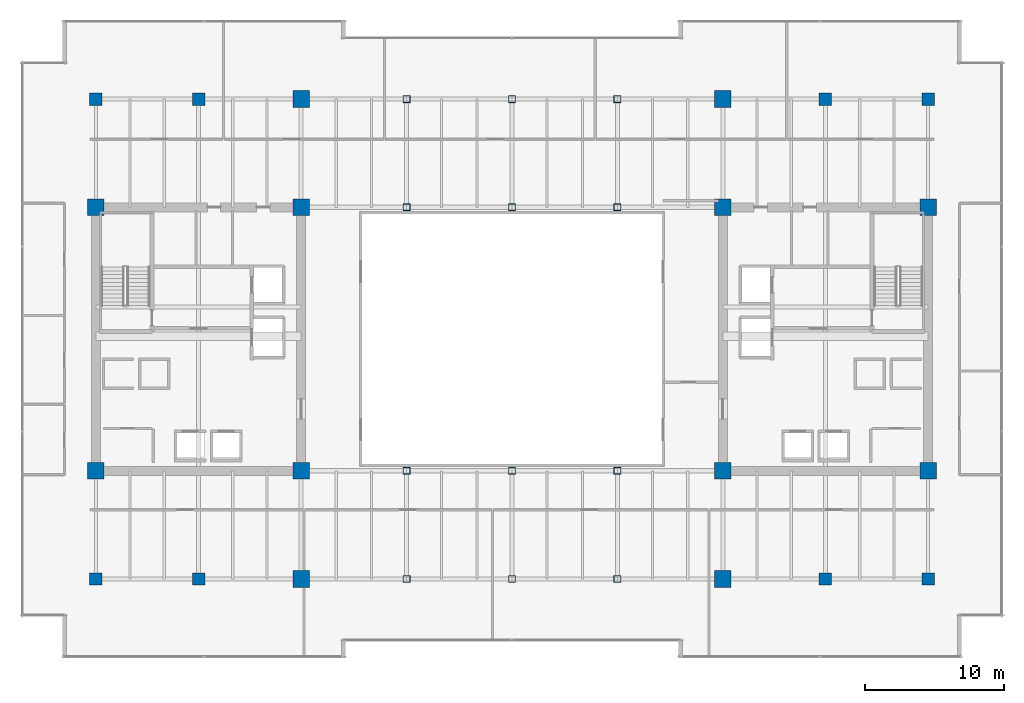
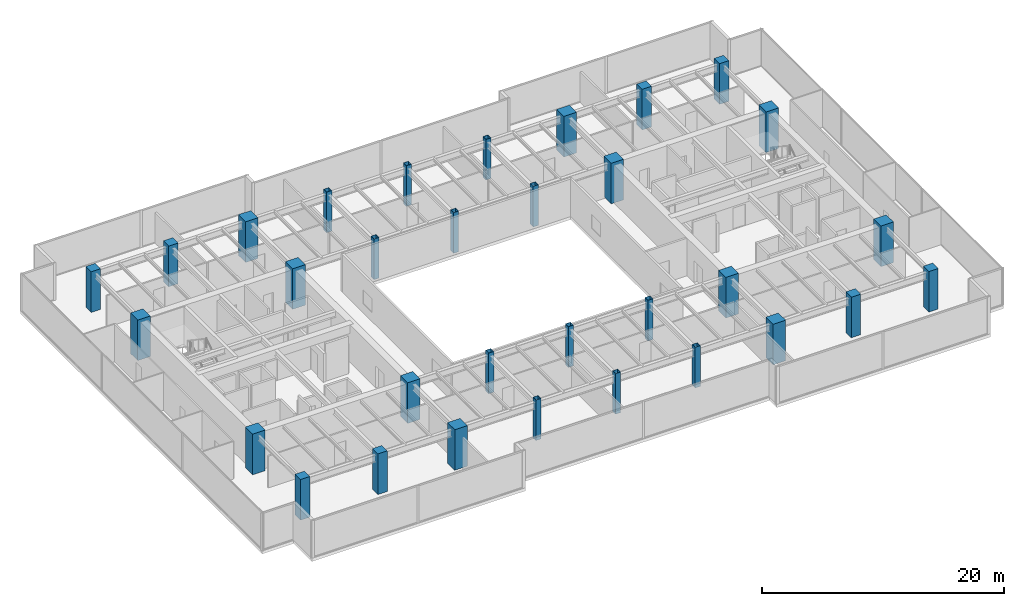
# One storey, part 1 of 31: 32 columns.
"""IFC4 building model written with IfcOpenShell, lengths in metres."""

from ifc_helpers import new_model, si_unit, direction, frame, origin, origin_2d, place, context, subcontext, project, spatial, rectangle, hollow_rectangle, extrude, source, transform, mapped, material, material_profile, profile_set, type_object, type_shapes, element, save


model = new_model("IFC4")

# Units and contexts
model_context = context("Model", 3, precision=1e-05, world=origin(), true_north=direction((0.0, 1.0)))
body_context = subcontext(model_context, "Body", "Model", "MODEL_VIEW")
ifc_project = project(units=[si_unit("LENGTHUNIT", "METRE"), si_unit("AREAUNIT", "SQUARE_METRE"), si_unit("VOLUMEUNIT", "CUBIC_METRE"), si_unit("PLANEANGLEUNIT", "RADIAN"), si_unit("MASSUNIT", "GRAM", prefix="KILO")], contexts=[model_context])

# Site, building, storey
site_placement = place(None, origin())
site = spatial("IfcSite", under=ifc_project, at=site_placement, CompositionType="ELEMENT")
building_placement = place(site_placement, origin())
building = spatial("IfcBuilding", under=site, at=building_placement, Name="Haelvirn Gate Laboratories", CompositionType="ELEMENT")
storey_placement = place(building_placement, frame((0.0, 0.0, 174.800048828125)))
storey = spatial("IfcBuildingStorey", under=building, at=storey_placement, Name="L42", CompositionType="ELEMENT", Elevation=174.800048828125)

# Columns
ifc_material_1 = material(Name="Concrete C50/60", Category="concrete")
ifc_material_profile_1 = material_profile(ifc_material_1, rectangle(XDim=0.89990234375, YDim=0.89990234375, at=origin_2d()), Name="RC-900x900")
ifc_profile_set_1 = profile_set([ifc_material_profile_1], Name="Concrete C50/60")
column_type_1 = type_object("IfcColumnType", Name="COL-RC-900", PredefinedType="COLUMN", material=ifc_profile_set_1)
shared_shape_1 = source(origin(), body_context, "Body", "SweptSolid", [
    extrude(rectangle(XDim=0.89990234375, YDim=0.89990234375, at=origin_2d()), origin(), (0.0, 0.0, 1.0), 4.099853515625),
])
type_shapes(column_type_1, [shared_shape_1])
for number, where, z_axis, x_axis, name in (
    (1, (14.800048828125, 7.0, 0.0), (0.0, 0.0, 1.0), (1.0, 0.0, 0.0), "L42 Column 3B"),
    (2, (14.800048828125, 41.60009765625, 0.0), (0.0, 0.0, 1.0), (1.0, 0.0, 0.0), "L42 Column 3G"),
    (3, (60.0, 7.0, 0.0), (0.0, 0.0, 1.0), (1.0, 0.0, 0.0), "L42 Column 9B"),
    (4, (60.0, 41.60009765625, 0.0), (0.0, 0.0, 1.0), (1.0, 0.0, 0.0), "L42 Column 9G"),
    (5, (7.39990234375, 7.0, 0.0), (0.0, 0.0, 1.0), (1.0, 0.0, 0.0), "L42 Column 2B"),
    (6, (7.39990234375, 41.60009765625, 0.0), (0.0, 0.0, 1.0), (1.0, 0.0, 0.0), "L42 Column 2G"),
    (7, (67.39990234375, 7.0, 0.0), (0.0, 0.0, 1.0), (1.0, 0.0, 0.0), "L42 Column 10B"),
    (8, (67.39990234375, 41.60009765625, 0.0), (0.0, 0.0, 1.0), (1.0, 0.0, 0.0), "L42 Column 10G"),
):
    element("IfcColumn", number, at=place(storey_placement, frame(where, z_axis=z_axis, x_axis=x_axis)), inside=storey, type_object=column_type_1, Name=name, PredefinedType="COLUMN", context=body_context, shape_type="MappedRepresentation", body=[
        mapped(shared_shape_1, transform((0.0, 0.0, 0.0), scale=1.0)),
    ])
ifc_material_2 = material(Name="Concrete C60/75", Category="concrete")
ifc_material_profile_2 = material_profile(ifc_material_2, rectangle(XDim=1.199951171875, YDim=1.199951171875, at=origin_2d()), Name="SRC-1200x1200")
ifc_profile_set_2 = profile_set([ifc_material_profile_2], Name="Concrete C60/75")
column_type_2 = type_object("IfcColumnType", Name="COL-SRC-1200", PredefinedType="COLUMN", material=ifc_profile_set_2)
shared_shape_2 = source(origin(), body_context, "Body", "SweptSolid", [
    extrude(rectangle(XDim=1.199951171875, YDim=1.199951171875, at=origin_2d()), origin(), (0.0, 0.0, 1.0), 4.099853515625),
])
type_shapes(column_type_2, [shared_shape_2])
for number, where, z_axis, x_axis, name in (
    (9, (22.199951171875, 7.0, 0.0), (0.0, 0.0, 1.0), (1.0, 0.0, 0.0), "L42 Column 4B"),
    (10, (7.39990234375, 14.800048828125, 0.0), (0.0, 0.0, 1.0), (1.0, 0.0, 0.0), "L42 Column 2C"),
    (11, (22.199951171875, 14.800048828125, 0.0), (0.0, 0.0, 1.0), (1.0, 0.0, 0.0), "L42 Column 4C"),
    (12, (7.39990234375, 33.800048828125, 0.0), (0.0, 0.0, 1.0), (1.0, 0.0, 0.0), "L42 Column 2F"),
    (13, (22.199951171875, 33.800048828125, 0.0), (0.0, 0.0, 1.0), (1.0, 0.0, 0.0), "L42 Column 4F"),
    (14, (22.199951171875, 41.60009765625, 0.0), (0.0, 0.0, 1.0), (1.0, 0.0, 0.0), "L42 Column 4G"),
    (15, (52.60009765625, 7.0, 0.0), (0.0, 0.0, 1.0), (1.0, 0.0, 0.0), "L42 Column 8B"),
    (16, (52.60009765625, 14.800048828125, 0.0), (0.0, 0.0, 1.0), (1.0, 0.0, 0.0), "L42 Column 8C"),
    (17, (67.39990234375, 14.800048828125, 0.0), (0.0, 0.0, 1.0), (1.0, 0.0, 0.0), "L42 Column 10C"),
    (18, (52.60009765625, 33.800048828125, 0.0), (0.0, 0.0, 1.0), (1.0, 0.0, 0.0), "L42 Column 8F"),
    (19, (67.39990234375, 33.800048828125, 0.0), (0.0, 0.0, 1.0), (1.0, 0.0, 0.0), "L42 Column 10F"),
    (20, (52.60009765625, 41.60009765625, 0.0), (0.0, 0.0, 1.0), (1.0, 0.0, 0.0), "L42 Column 8G"),
):
    element("IfcColumn", number, at=place(storey_placement, frame(where, z_axis=z_axis, x_axis=x_axis)), inside=storey, type_object=column_type_2, Name=name, PredefinedType="COLUMN", context=body_context, shape_type="MappedRepresentation", body=[
        mapped(shared_shape_2, transform((0.0, 0.0, 0.0), scale=1.0)),
    ])
ifc_material_3 = material(Name="Steel SM355", Category="steel")
ifc_material_profile_3 = material_profile(ifc_material_3, hollow_rectangle(XDim=0.5, YDim=0.5, WallThickness=0.02197265625, at=origin_2d()), Name="BOX-500x500x22")
ifc_profile_set_3 = profile_set([ifc_material_profile_3], Name="Steel SM355")
column_type_3 = type_object("IfcColumnType", Name="COL-BOX-500", PredefinedType="COLUMN", material=ifc_profile_set_3)
shared_shape_3 = source(origin(), body_context, "Body", "SweptSolid", [
    extrude(hollow_rectangle(XDim=0.5, YDim=0.5, WallThickness=0.02197265625, at=origin_2d()), origin(), (0.0, 0.0, 1.0), 4.099853515625),
])
type_shapes(column_type_3, [shared_shape_3])
for number, where, z_axis, x_axis, name in (
    (21, (29.800048828125, 7.0, 0.0), (0.0, 0.0, 1.0), (1.0, 0.0, 0.0), "L42 Column 5B"),
    (22, (29.800048828125, 14.800048828125, 0.0), (0.0, 0.0, 1.0), (1.0, 0.0, 0.0), "L42 Column 5C"),
    (23, (29.800048828125, 33.800048828125, 0.0), (0.0, 0.0, 1.0), (1.0, 0.0, 0.0), "L42 Column 5F"),
    (24, (29.800048828125, 41.60009765625, 0.0), (0.0, 0.0, 1.0), (1.0, 0.0, 0.0), "L42 Column 5G"),
    (25, (37.39990234375, 7.0, 0.0), (0.0, 0.0, 1.0), (1.0, 0.0, 0.0), "L42 Column 6B"),
    (26, (37.39990234375, 14.800048828125, 0.0), (0.0, 0.0, 1.0), (1.0, 0.0, 0.0), "L42 Column 6C"),
    (27, (37.39990234375, 33.800048828125, 0.0), (0.0, 0.0, 1.0), (1.0, 0.0, 0.0), "L42 Column 6F"),
    (28, (37.39990234375, 41.60009765625, 0.0), (0.0, 0.0, 1.0), (1.0, 0.0, 0.0), "L42 Column 6G"),
    (29, (45.0, 7.0, 0.0), (0.0, 0.0, 1.0), (1.0, 0.0, 0.0), "L42 Column 7B"),
    (30, (45.0, 14.800048828125, 0.0), (0.0, 0.0, 1.0), (1.0, 0.0, 0.0), "L42 Column 7C"),
    (31, (45.0, 33.800048828125, 0.0), (0.0, 0.0, 1.0), (1.0, 0.0, 0.0), "L42 Column 7F"),
    (32, (45.0, 41.60009765625, 0.0), (0.0, 0.0, 1.0), (1.0, 0.0, 0.0), "L42 Column 7G"),
):
    element("IfcColumn", number, at=place(storey_placement, frame(where, z_axis=z_axis, x_axis=x_axis)), inside=storey, type_object=column_type_3, Name=name, PredefinedType="COLUMN", context=body_context, shape_type="MappedRepresentation", body=[
        mapped(shared_shape_3, transform((0.0, 0.0, 0.0), scale=1.0)),
    ])

save(model, "model.ifc")
